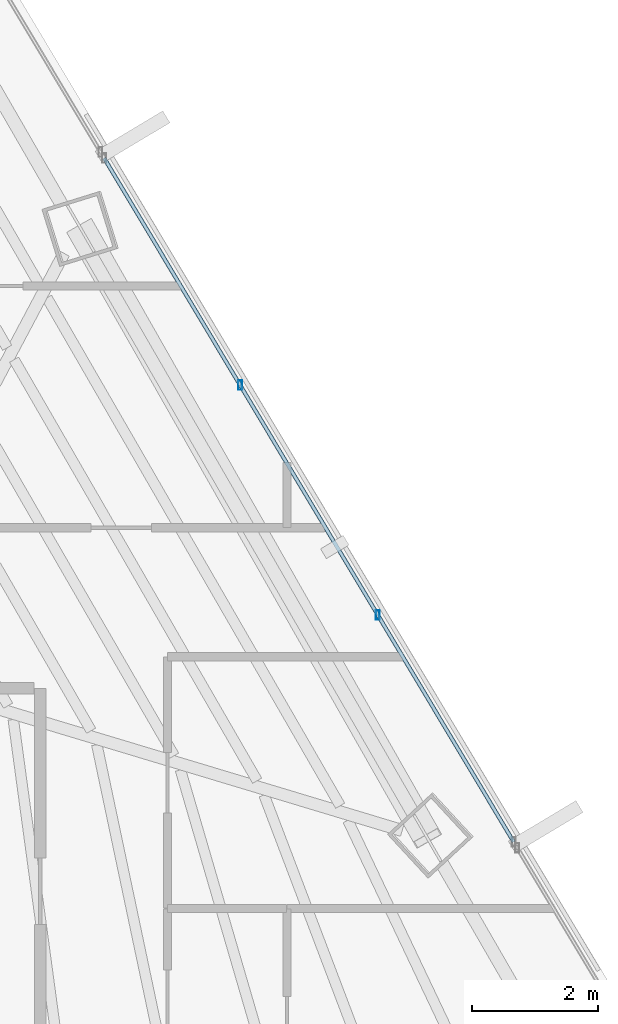
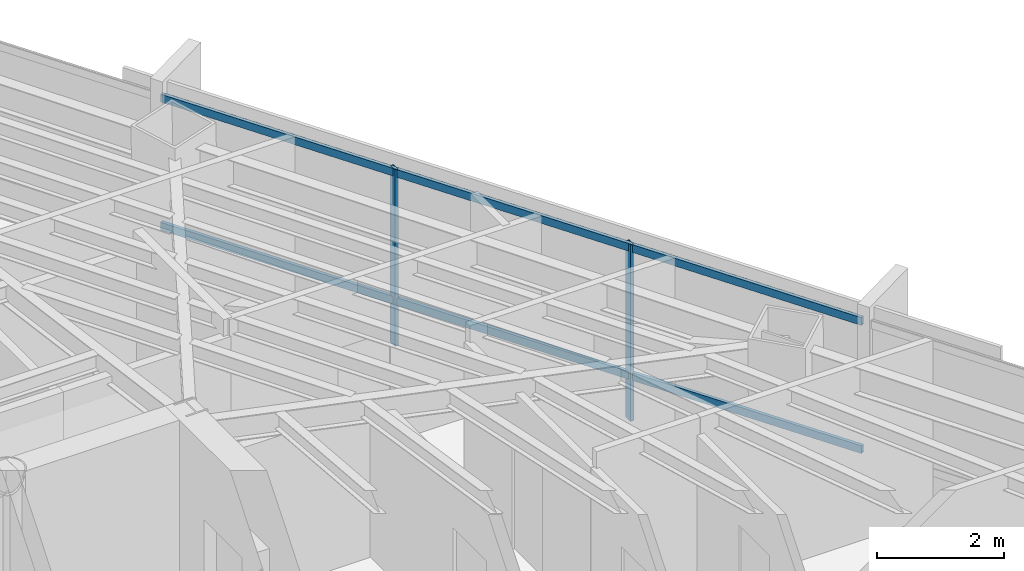
# One storey, part 25 of 41: 4 members, 1 element without a shape of its own.
"""IFC4 building model written with IfcOpenShell, lengths in metres."""

from ifc_helpers import new_model, si_unit, direction, frame, origin, origin_2d, place, context, subcontext, project, spatial, hollow_rectangle, extrude, source, transform, mapped, material, material_profile, profile_set, type_object, type_shapes, element, aggregate, save


model = new_model("IFC4")

# Units and contexts
model_context = context("Model", 3, precision=1e-05, world=origin(), true_north=direction((0.0, 1.0)))
body_context = subcontext(model_context, "Body", "Model", "MODEL_VIEW")
ifc_project = project(units=[si_unit("LENGTHUNIT", "METRE"), si_unit("AREAUNIT", "SQUARE_METRE"), si_unit("VOLUMEUNIT", "CUBIC_METRE"), si_unit("PLANEANGLEUNIT", "RADIAN"), si_unit("MASSUNIT", "GRAM", prefix="KILO")], contexts=[model_context])

# Site, building, storey
site_placement = place(None, origin())
site = spatial("IfcSite", under=ifc_project, at=site_placement, CompositionType="ELEMENT")
building_placement = place(site_placement, origin())
building = spatial("IfcBuilding", under=site, at=building_placement, Name="Caelisora Broadcast Tower", CompositionType="ELEMENT")
storey_placement = place(building_placement, frame((0.0, 0.0, 180.39990234375)))
storey = spatial("IfcBuildingStorey", under=building, at=storey_placement, Name="L47", CompositionType="ELEMENT", Elevation=180.39990234375)

# Curtain wall, members
ifc_material_1 = material(Name="Unitised Aluminium Insulated Shadow-Box Spandrel Curtain Wall", Category="aluminium")
curtain_wall_type = type_object("IfcCurtainWallType", Name="CW-SP2", PredefinedType="NOTDEFINED", material=ifc_material_1)
curtain_wall_placement = place(storey_placement, origin())
curtain_wall = element("IfcCurtainWall", 1, at=curtain_wall_placement, inside=storey, type_object=curtain_wall_type, Name="L47 curtain wall CW-SP2", PredefinedType="NOTDEFINED")
ifc_material_2 = material(Name="Aluminium 6063-T6 Anodised Terracotta Bronze", Category="aluminium")
ifc_material_profile_1 = material_profile(ifc_material_2, hollow_rectangle(XDim=0.06005859375, YDim=0.14990234375, WallThickness=0.00341796875, at=origin_2d()), Name="Aluminium 6063-T6 Anodised Terracotta Bronze")
ifc_profile_set_1 = profile_set([ifc_material_profile_1], Name="Aluminium 6063-T6 Anodised Terracotta Bronze")
member_type_1 = type_object("IfcMemberType", Name="CWM-03", PredefinedType="MULLION", material=ifc_profile_set_1)
shared_shape_1 = source(origin(), body_context, "Body", "SweptSolid", [
    extrude(hollow_rectangle(XDim=0.06005859375, YDim=0.14990234375, WallThickness=0.00341796875, at=origin_2d()), origin(), (0.0, 0.0, 1.0), 3.400146484375),
])
type_shapes(member_type_1, [shared_shape_1])
member_1_placement = place(storey_placement, frame((51.7568359375, 34.4169921875, 0.0), z_axis=(0.0, 0.0, 1.0), x_axis=(1.0, 0.0, 0.0)))
member_1 = element("IfcMember", 2, at=member_1_placement, type_object=member_type_1, Name="L47-CW-B02 mullion #1", PredefinedType="MULLION", context=body_context, shape_type="MappedRepresentation", body=[
    mapped(shared_shape_1, transform((0.0, 0.0, 0.0), scale=1.0)),
])
member_2_placement = place(storey_placement, frame((53.943115234375, 30.7666015625, 0.0), z_axis=(0.0, 0.0, 1.0), x_axis=(1.0, 0.0, 0.0)))
member_2 = element("IfcMember", 3, at=member_2_placement, type_object=member_type_1, Name="L47-CW-B02 mullion #2", PredefinedType="MULLION", context=body_context, shape_type="MappedRepresentation", body=[
    mapped(shared_shape_1, transform((0.0, 0.0, 0.0), scale=1.0)),
])
ifc_material_profile_2 = material_profile(ifc_material_2, hollow_rectangle(XDim=0.06005859375, YDim=0.14990234375, WallThickness=0.00341796875, at=origin_2d()), Name="Aluminium 6063-T6 Anodised Terracotta Bronze")
ifc_profile_set_2 = profile_set([ifc_material_profile_2], Name="Aluminium 6063-T6 Anodised Terracotta Bronze")
member_type_2 = type_object("IfcMemberType", Name="CWT-02", PredefinedType="USERDEFINED", material=ifc_profile_set_2)
shared_shape_2 = source(origin(), body_context, "Body", "SweptSolid", [
    extrude(hollow_rectangle(XDim=0.06005859375, YDim=0.14990234375, WallThickness=0.00341796875, at=origin_2d()), origin(), (0.0, 0.0, 1.0), 12.665283203125),
])
type_shapes(member_type_2, [shared_shape_2])
member_3_placement = place(storey_placement, frame((49.59619140625, 38.024658203125, 0.85009765625), z_axis=(0.513806749229, -0.857905953148, 0.0), x_axis=(0.857905953148, 0.513806749229, 0.0)))
member_3 = element("IfcMember", 4, at=member_3_placement, type_object=member_type_2, Name="L47-CW-B02 transom #1", ObjectType="TRANSOM", PredefinedType="USERDEFINED", context=body_context, shape_type="MappedRepresentation", body=[
    mapped(shared_shape_2, transform((0.0, 0.0, 0.0), scale=1.0)),
])
member_4_placement = place(storey_placement, frame((49.59619140625, 38.024658203125, 3.320068359375), z_axis=(0.513806749229, -0.857905953148, 0.0), x_axis=(0.857905953148, 0.513806749229, 0.0)))
member_4 = element("IfcMember", 5, at=member_4_placement, type_object=member_type_2, Name="L47-CW-B02 transom #2", ObjectType="TRANSOM", PredefinedType="USERDEFINED", context=body_context, shape_type="MappedRepresentation", body=[
    mapped(shared_shape_2, transform((0.0, 0.0, 0.0), scale=1.0)),
])
aggregate(curtain_wall, [member_1, member_2, member_3, member_4])

save(model, "model.ifc")
